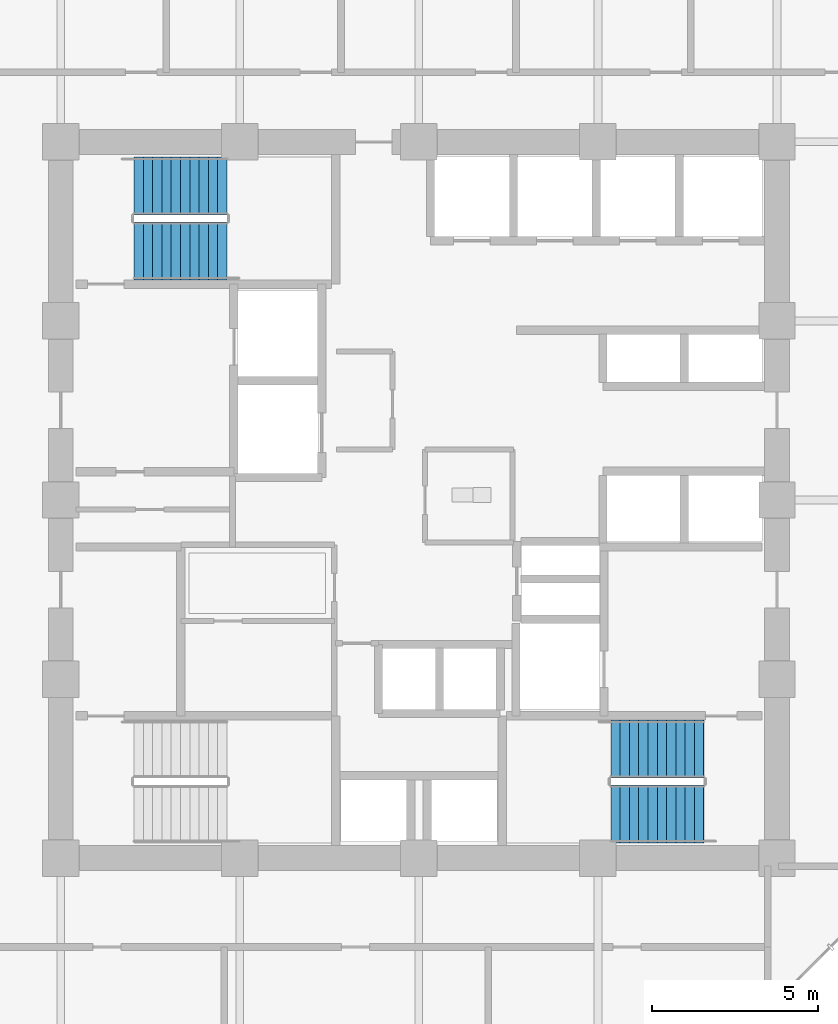
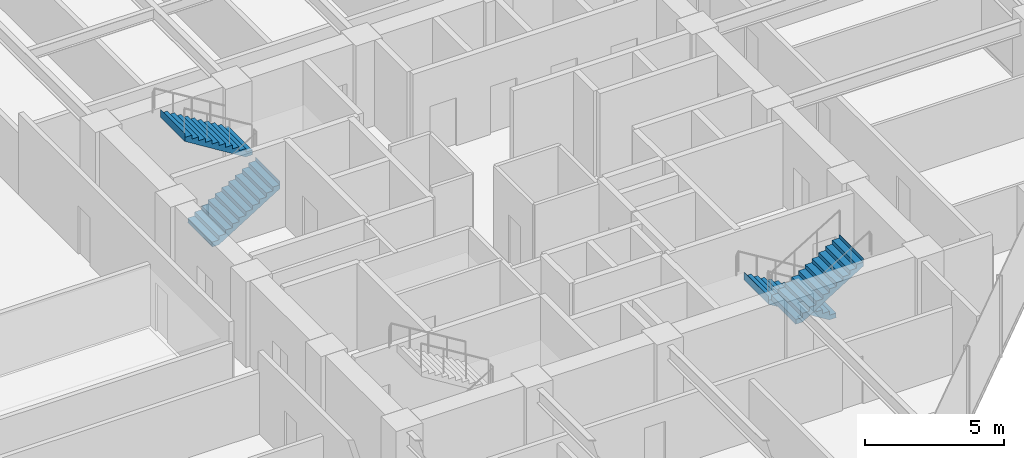
# One storey, part 22 of 25: 4 stair flights, 2 elements without a shape of their own.
"""IFC4 building model written with IfcOpenShell, lengths in metres."""

from ifc_helpers import new_model, si_unit, direction, frame, origin, place, context, subcontext, project, spatial, polyline, outline, extrude, material, type_object, element, aggregate, save


model = new_model("IFC4")

# Units and contexts
model_context = context("Model", 3, precision=1e-05, world=origin(), true_north=direction((0.0, 1.0)))
body_context = subcontext(model_context, "Body", "Model", "MODEL_VIEW")
ifc_project = project(units=[si_unit("LENGTHUNIT", "METRE"), si_unit("AREAUNIT", "SQUARE_METRE"), si_unit("VOLUMEUNIT", "CUBIC_METRE"), si_unit("PLANEANGLEUNIT", "RADIAN"), si_unit("MASSUNIT", "GRAM", prefix="KILO")], contexts=[model_context])

# Site, building, storey
site_placement = place(None, origin())
site = spatial("IfcSite", under=ifc_project, at=site_placement, CompositionType="ELEMENT")
building_placement = place(site_placement, origin())
building = spatial("IfcBuilding", under=site, at=building_placement, Name="Surkhivell Harbour Commons", CompositionType="ELEMENT")
storey_placement = place(building_placement, frame((0.0, 0.0, 117.0)))
storey = spatial("IfcBuildingStorey", under=building, at=storey_placement, Name="L30", CompositionType="ELEMENT", Elevation=117.0)

# Stair, stair flights
ifc_material = material(Name="Precast concrete C45/55", Category="concrete")
stair_type = type_object("IfcStairType", Name="STR-DL-375", PredefinedType="HALF_TURN_STAIR", material=ifc_material)
stair_1_placement = place(storey_placement, origin())
stair_1 = element("IfcStair", 1, at=stair_1_placement, inside=storey, type_object=stair_type, Name="L30 Core Exit Stair ST1", PredefinedType="HALF_TURN_STAIR")
stair_flight_type = type_object("IfcStairFlightType", Name="STF-DL-375", PredefinedType="STRAIGHT", material=ifc_material)
stair_flight_1_placement = place(storey_placement, frame((-8.590087890625, 7.514892578125, 0.0), z_axis=(0.0, 0.0, 1.0), x_axis=(1.0, 0.0, 0.0)))
stair_flight_1 = element("IfcStairFlight", 2, at=stair_flight_1_placement, type_object=stair_flight_type, Name="ST1 flight 1", NumberOfRisers=11, NumberOfTreads=10, PredefinedType="STRAIGHT", RiserHeight=0.170454545, TreadLength=0.28, context=body_context, shape_type="SweptSolid", body=[
    extrude(outline(polyline([(-0.0029296875, -0.034912109375), (-0.0029296875, 0.0), (0.0, 0.0), (0.0, 0.17041015625), (0.280029296875, 0.17041015625), (0.280029296875, 0.3408203125), (0.56005859375, 0.3408203125), (0.56005859375, 0.511474609375), (0.840087890625, 0.511474609375), (0.840087890625, 0.681884765625), (1.1201171875, 0.681884765625), (1.1201171875, 0.852294921875), (1.39990234375, 0.852294921875), (1.39990234375, 1.022705078125), (1.679931640625, 1.022705078125), (1.679931640625, 1.193115234375), (1.9599609375, 1.193115234375), (1.9599609375, 1.363525390625), (2.239990234375, 1.363525390625), (2.239990234375, 1.5341796875), (2.52001953125, 1.5341796875), (2.52001953125, 1.70458984375), (2.800048828125, 1.70458984375), (2.800048828125, 1.875), (2.802978515625, 1.875), (2.802978515625, 1.529052734375), (0.288330078125, -0.034912109375), (-0.0029296875, -0.034912109375)])), frame((0.0, 0.875, 0.0), z_axis=(0.0, -1.0, 0.0), x_axis=(1.0, 0.0, 0.0)), (0.0, 0.0, 1.0), 1.75),
])
stair_flight_2_placement = place(storey_placement, frame((-5.7900390625, 9.465087890625, 1.875), z_axis=(0.0, 0.0, 1.0), x_axis=(-1.0, 0.0, 0.0)))
stair_flight_2 = element("IfcStairFlight", 3, at=stair_flight_2_placement, type_object=stair_flight_type, Name="ST1 flight 2", NumberOfRisers=11, NumberOfTreads=10, PredefinedType="STRAIGHT", RiserHeight=0.170454545, TreadLength=0.28, context=body_context, shape_type="SweptSolid", body=[
    extrude(outline(polyline([(-0.0029296875, -0.034912109375), (-0.0029296875, 0.0), (0.0, 0.0), (0.0, 0.17041015625), (0.280029296875, 0.17041015625), (0.280029296875, 0.3408203125), (0.56005859375, 0.3408203125), (0.56005859375, 0.511474609375), (0.840087890625, 0.511474609375), (0.840087890625, 0.681884765625), (1.1201171875, 0.681884765625), (1.1201171875, 0.852294921875), (1.39990234375, 0.852294921875), (1.39990234375, 1.022705078125), (1.679931640625, 1.022705078125), (1.679931640625, 1.193115234375), (1.9599609375, 1.193115234375), (1.9599609375, 1.363525390625), (2.239990234375, 1.363525390625), (2.239990234375, 1.5341796875), (2.52001953125, 1.5341796875), (2.52001953125, 1.70458984375), (2.800048828125, 1.70458984375), (2.800048828125, 1.875), (2.802978515625, 1.875), (2.802978515625, 1.529052734375), (0.288330078125, -0.034912109375), (-0.0029296875, -0.034912109375)])), frame((0.0, 0.875, 0.0), z_axis=(0.0, -1.0, 0.0), x_axis=(1.0, 0.0, 0.0)), (0.0, 0.0, 1.0), 1.75),
])
aggregate(stair_1, [stair_flight_1, stair_flight_2])

stair_2_placement = place(storey_placement, origin())
stair_2 = element("IfcStair", 4, at=stair_2_placement, inside=storey, type_object=stair_type, Name="L30 Core Exit Stair ST2", PredefinedType="HALF_TURN_STAIR")
stair_flight_3_placement = place(storey_placement, frame((8.590087890625, -7.514892578125, 0.0), z_axis=(0.0, 0.0, 1.0), x_axis=(-1.0, 0.0, 0.0)))
stair_flight_3 = element("IfcStairFlight", 5, at=stair_flight_3_placement, type_object=stair_flight_type, Name="ST2 flight 1", NumberOfRisers=11, NumberOfTreads=10, PredefinedType="STRAIGHT", RiserHeight=0.170454545, TreadLength=0.28, context=body_context, shape_type="SweptSolid", body=[
    extrude(outline(polyline([(-0.0029296875, -0.034912109375), (-0.0029296875, 0.0), (0.0, 0.0), (0.0, 0.17041015625), (0.280029296875, 0.17041015625), (0.280029296875, 0.3408203125), (0.56005859375, 0.3408203125), (0.56005859375, 0.511474609375), (0.840087890625, 0.511474609375), (0.840087890625, 0.681884765625), (1.1201171875, 0.681884765625), (1.1201171875, 0.852294921875), (1.39990234375, 0.852294921875), (1.39990234375, 1.022705078125), (1.679931640625, 1.022705078125), (1.679931640625, 1.193115234375), (1.9599609375, 1.193115234375), (1.9599609375, 1.363525390625), (2.239990234375, 1.363525390625), (2.239990234375, 1.5341796875), (2.52001953125, 1.5341796875), (2.52001953125, 1.70458984375), (2.800048828125, 1.70458984375), (2.800048828125, 1.875), (2.802978515625, 1.875), (2.802978515625, 1.529052734375), (0.288330078125, -0.034912109375), (-0.0029296875, -0.034912109375)])), frame((0.0, 0.875, 0.0), z_axis=(0.0, -1.0, 0.0), x_axis=(1.0, 0.0, 0.0)), (0.0, 0.0, 1.0), 1.75),
])
stair_flight_4_placement = place(storey_placement, frame((5.7900390625, -9.465087890625, 1.875), z_axis=(0.0, 0.0, 1.0), x_axis=(1.0, 0.0, 0.0)))
stair_flight_4 = element("IfcStairFlight", 6, at=stair_flight_4_placement, type_object=stair_flight_type, Name="ST2 flight 2", NumberOfRisers=11, NumberOfTreads=10, PredefinedType="STRAIGHT", RiserHeight=0.170454545, TreadLength=0.28, context=body_context, shape_type="SweptSolid", body=[
    extrude(outline(polyline([(-0.0029296875, -0.034912109375), (-0.0029296875, 0.0), (0.0, 0.0), (0.0, 0.17041015625), (0.280029296875, 0.17041015625), (0.280029296875, 0.3408203125), (0.56005859375, 0.3408203125), (0.56005859375, 0.511474609375), (0.840087890625, 0.511474609375), (0.840087890625, 0.681884765625), (1.1201171875, 0.681884765625), (1.1201171875, 0.852294921875), (1.39990234375, 0.852294921875), (1.39990234375, 1.022705078125), (1.679931640625, 1.022705078125), (1.679931640625, 1.193115234375), (1.9599609375, 1.193115234375), (1.9599609375, 1.363525390625), (2.239990234375, 1.363525390625), (2.239990234375, 1.5341796875), (2.52001953125, 1.5341796875), (2.52001953125, 1.70458984375), (2.800048828125, 1.70458984375), (2.800048828125, 1.875), (2.802978515625, 1.875), (2.802978515625, 1.529052734375), (0.288330078125, -0.034912109375), (-0.0029296875, -0.034912109375)])), frame((0.0, 0.875, 0.0), z_axis=(0.0, -1.0, 0.0), x_axis=(1.0, 0.0, 0.0)), (0.0, 0.0, 1.0), 1.75),
])
aggregate(stair_2, [stair_flight_3, stair_flight_4])

save(model, "model.ifc")
